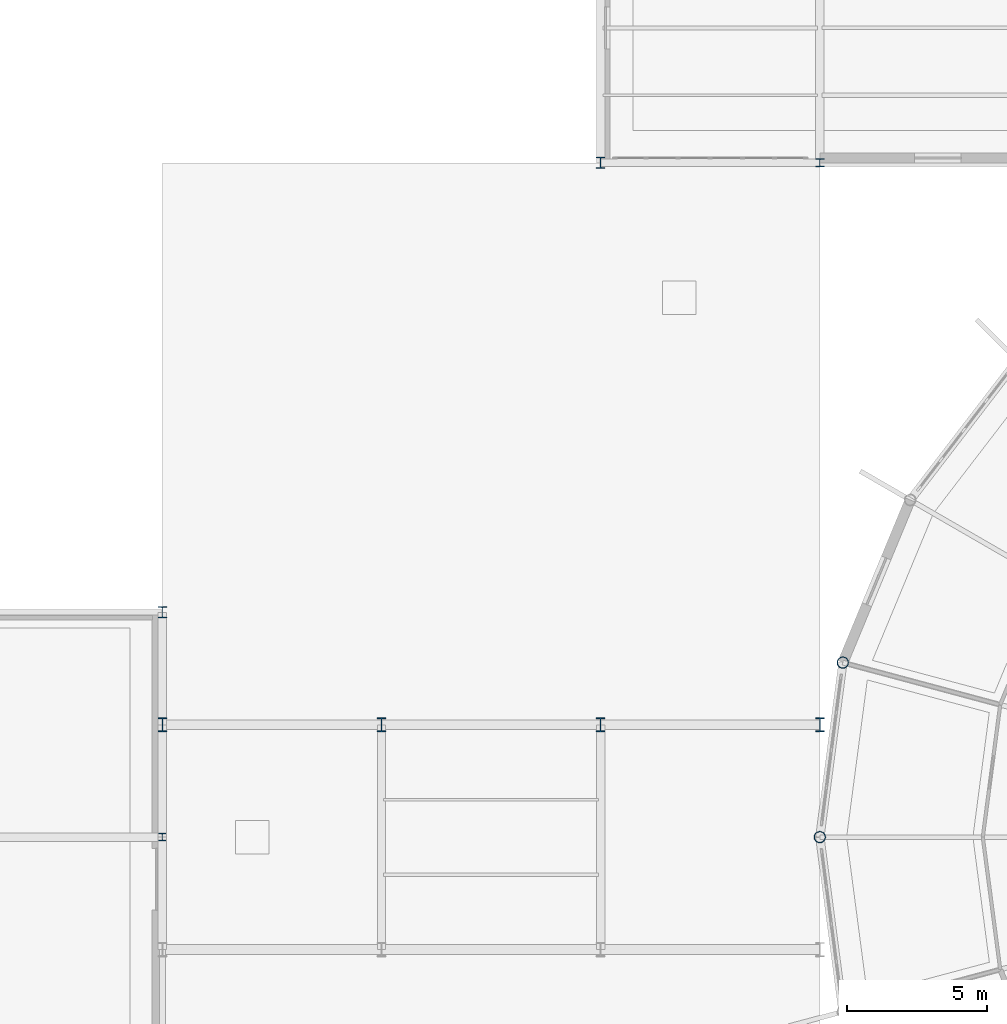
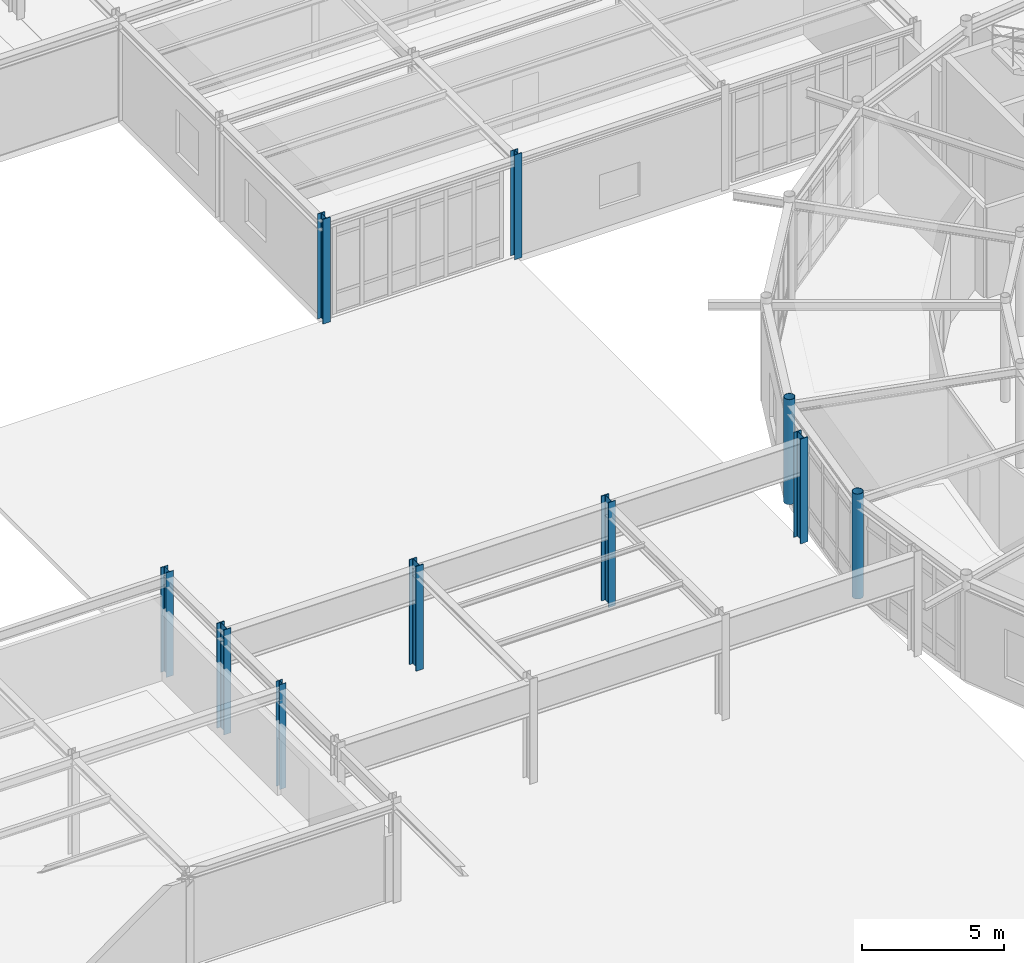
# One storey, part 12 of 101: 10 columns.
"""IFC4 building model written with IfcOpenShell, lengths in metres."""

from ifc_helpers import new_model, si_unit, derived_unit, direction, frame, origin, origin_2d, place, context, subcontext, project, spatial, hollow_circle, i_section, extrude, material, material_profile, profile_set, type_object, element, save


model = new_model("IFC4")

# Units and contexts
model_context = context("Model", 3, precision=1e-05, world=origin(), true_north=direction((0.0, 1.0)))
body_context = subcontext(model_context, "Body", "Model", "MODEL_VIEW")
ifc_project = project(units=[si_unit("LENGTHUNIT", "METRE"), si_unit("AREAUNIT", "SQUARE_METRE"), si_unit("VOLUMEUNIT", "CUBIC_METRE"), si_unit("PLANEANGLEUNIT", "RADIAN"), si_unit("MASSUNIT", "GRAM", prefix="KILO"), derived_unit("THERMALTRANSMITTANCEUNIT", [(si_unit("POWERUNIT", "WATT"), 1), (si_unit("AREAUNIT", "SQUARE_METRE"), -1), (si_unit("THERMODYNAMICTEMPERATUREUNIT", "KELVIN"), -1)])], contexts=[model_context])

# Site, building, storey
site_placement = place(None, origin())
site = spatial("IfcSite", under=ifc_project, at=site_placement, CompositionType="ELEMENT")
building_placement = place(site_placement, origin())
building = spatial("IfcBuilding", under=site, at=building_placement, Name="Yasenodar Specialist Clinic", CompositionType="ELEMENT")
storey_placement = place(building_placement, origin())
storey = spatial("IfcBuildingStorey", under=building, at=storey_placement, Name="L00", CompositionType="ELEMENT", Elevation=0.0)

# Columns
ifc_material = material(Name="Steel S355", Category="steel")
ifc_material_profile_1 = material_profile(ifc_material, hollow_circle(Radius=0.203125, WallThickness=0.01611328125, at=origin_2d()), Name="CHS 406.4x16")
ifc_profile_set_1 = profile_set([ifc_material_profile_1], Name="Steel S355")
column_type_1 = type_object("IfcColumnType", Name="COL-ST-CHS406", PredefinedType="COLUMN", material=ifc_profile_set_1)
for number, where, z_axis, x_axis, name in (
    (1, (57.81787109375, 65.01171875, 0.0), (0.0, 0.0, 1.0), (1.0, 0.0, 0.0), "L00 Drum V1 Outer Column 12"),
    (2, (57.0, 58.800048828125, 0.0), (0.0, 0.0, 1.0), (1.0, 0.0, 0.0), "L00 Drum V1 Outer Column 13"),
):
    element("IfcColumn", number, at=place(storey_placement, frame(where, z_axis=z_axis, x_axis=x_axis)), inside=storey, type_object=column_type_1, Name=name, PredefinedType="COLUMN", context=body_context, shape_type="SweptSolid", body=[
        extrude(hollow_circle(Radius=0.203125, WallThickness=0.01611328125, at=origin_2d()), origin(), (0.0, 0.0, 1.0), 4.5),
    ])
ifc_material_profile_2 = material_profile(ifc_material, i_section(OverallWidth=0.300048828125, OverallDepth=0.389892578125, WebThickness=0.010986328125, FlangeThickness=0.01904296875, FilletRadius=0.027099609375, at=origin_2d()), Name="HEA 400")
ifc_profile_set_2 = profile_set([ifc_material_profile_2], Name="Steel S355")
column_type_2 = type_object("IfcColumnType", Name="COL-ST-HEA400", PredefinedType="COLUMN", material=ifc_profile_set_2)
column_1_placement = place(storey_placement, frame((33.60009765625, 66.800048828125, 0.0), z_axis=(0.0, 0.0, 1.0), x_axis=(1.0, 0.0, 0.0)))
element("IfcColumn", 3, at=column_1_placement, inside=storey, type_object=column_type_2, Name="L00 Column V4-068", PredefinedType="COLUMN", context=body_context, shape_type="SweptSolid", body=[
    extrude(i_section(OverallWidth=0.300048828125, OverallDepth=0.389892578125, WebThickness=0.010986328125, FlangeThickness=0.01904296875, FilletRadius=0.027099609375, at=origin_2d()), origin(), (0.0, 0.0, 1.0), 4.5),
])
ifc_material_profile_3 = material_profile(ifc_material, i_section(OverallWidth=0.260009765625, OverallDepth=0.260009765625, WebThickness=0.010009765625, FlangeThickness=0.017578125, FilletRadius=0.02392578125, at=origin_2d()), Name="HEB 260")
ifc_profile_set_3 = profile_set([ifc_material_profile_3], Name="Steel S355")
column_type_3 = type_object("IfcColumnType", Name="COL-ST-HEB260", PredefinedType="COLUMN", material=ifc_profile_set_3)
column_2_placement = place(storey_placement, frame((33.60009765625, 58.800048828125, 0.0), z_axis=(0.0, 0.0, 1.0), x_axis=(1.0, 0.0, 0.0)))
element("IfcColumn", 4, at=column_2_placement, inside=storey, type_object=column_type_3, Name="L00 Column V4-066", PredefinedType="COLUMN", context=body_context, shape_type="SweptSolid", body=[
    extrude(i_section(OverallWidth=0.260009765625, OverallDepth=0.260009765625, WebThickness=0.010009765625, FlangeThickness=0.017578125, FilletRadius=0.02392578125, at=origin_2d()), origin(), (0.0, 0.0, 1.0), 4.5),
])
ifc_material_profile_4 = material_profile(ifc_material, i_section(OverallWidth=0.300048828125, OverallDepth=0.300048828125, WebThickness=0.010986328125, FlangeThickness=0.01904296875, FilletRadius=0.027099609375, at=origin_2d()), Name="HEB 300")
ifc_profile_set_4 = profile_set([ifc_material_profile_4], Name="Steel S355")
column_type_4 = type_object("IfcColumnType", Name="COL-ST-HEB300", PredefinedType="COLUMN", material=ifc_profile_set_4)
column_3_placement = place(storey_placement, frame((57.0, 82.800048828125, 0.0), z_axis=(0.0, 0.0, 1.0), x_axis=(1.0, 0.0, 0.0)))
element("IfcColumn", 5, at=column_3_placement, inside=storey, type_object=column_type_4, Name="L00 Column V5-088", PredefinedType="COLUMN", context=body_context, shape_type="SweptSolid", body=[
    extrude(i_section(OverallWidth=0.300048828125, OverallDepth=0.300048828125, WebThickness=0.010986328125, FlangeThickness=0.01904296875, FilletRadius=0.027099609375, at=origin_2d()), origin(), (0.0, 0.0, 1.0), 4.5),
])
ifc_material_profile_5 = material_profile(ifc_material, i_section(OverallWidth=0.300048828125, OverallDepth=0.39990234375, WebThickness=0.013427734375, FlangeThickness=0.02392578125, FilletRadius=0.027099609375, at=origin_2d()), Name="HEB 400")
ifc_profile_set_5 = profile_set([ifc_material_profile_5], Name="Steel S355")
column_type_5 = type_object("IfcColumnType", Name="COL-ST-HEB400", PredefinedType="COLUMN", material=ifc_profile_set_5)
column_4_placement = place(storey_placement, frame((49.199951171875, 82.800048828125, 0.0), z_axis=(0.0, 0.0, 1.0), x_axis=(1.0, 0.0, 0.0)))
element("IfcColumn", 6, at=column_4_placement, inside=storey, type_object=column_type_5, Name="L00 Column V5-081", PredefinedType="COLUMN", context=body_context, shape_type="SweptSolid", body=[
    extrude(i_section(OverallWidth=0.300048828125, OverallDepth=0.39990234375, WebThickness=0.013427734375, FlangeThickness=0.02392578125, FilletRadius=0.027099609375, at=origin_2d()), origin(), (0.0, 0.0, 1.0), 4.5),
])
ifc_material_profile_6 = material_profile(ifc_material, i_section(OverallWidth=0.300048828125, OverallDepth=0.5, WebThickness=0.014404296875, FlangeThickness=0.028076171875, FilletRadius=0.027099609375, at=origin_2d()), Name="HEB 500")
ifc_profile_set_6 = profile_set([ifc_material_profile_6], Name="Steel S355")
column_type_6 = type_object("IfcColumnType", Name="COL-ST-HEB500", PredefinedType="COLUMN", material=ifc_profile_set_6)
for number, where, z_axis, x_axis, name in (
    (7, (33.60009765625, 62.800048828125, 0.0), (0.0, 0.0, 1.0), (1.0, 0.0, 0.0), "L00 Column V6-067"),
    (8, (41.39990234375, 62.800048828125, 0.0), (0.0, 0.0, 1.0), (1.0, 0.0, 0.0), "L00 Column V6-075"),
    (9, (49.199951171875, 62.800048828125, 0.0), (0.0, 0.0, 1.0), (1.0, 0.0, 0.0), "L00 Column V6-080"),
    (10, (57.0, 62.800048828125, 0.0), (0.0, 0.0, 1.0), (1.0, 0.0, 0.0), "L00 Column V6-087"),
):
    element("IfcColumn", number, at=place(storey_placement, frame(where, z_axis=z_axis, x_axis=x_axis)), inside=storey, type_object=column_type_6, Name=name, PredefinedType="COLUMN", context=body_context, shape_type="SweptSolid", body=[
        extrude(i_section(OverallWidth=0.300048828125, OverallDepth=0.5, WebThickness=0.014404296875, FlangeThickness=0.028076171875, FilletRadius=0.027099609375, at=origin_2d()), origin(), (0.0, 0.0, 1.0), 4.5),
    ])

save(model, "model.ifc")
